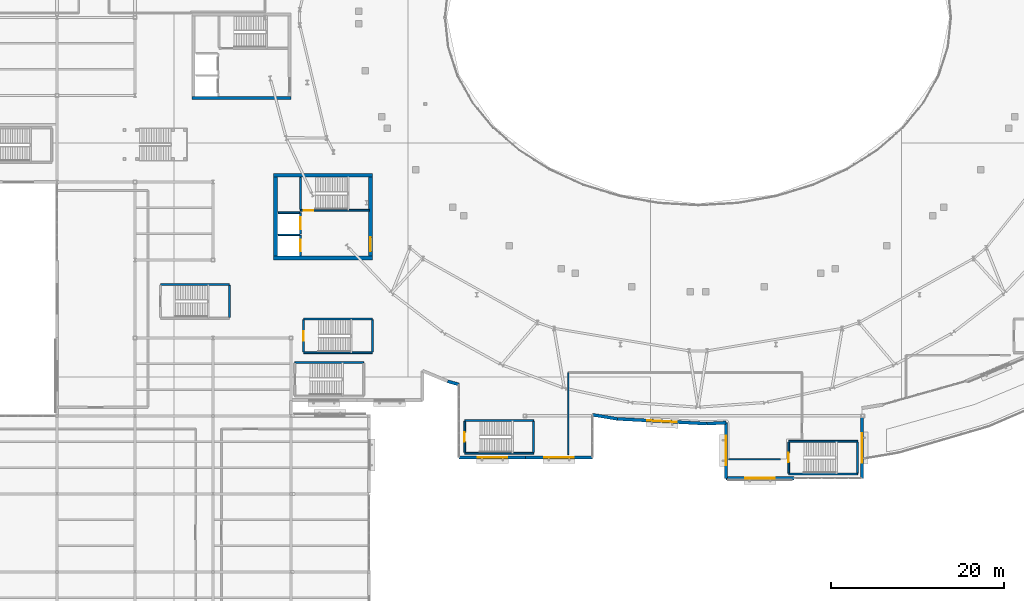
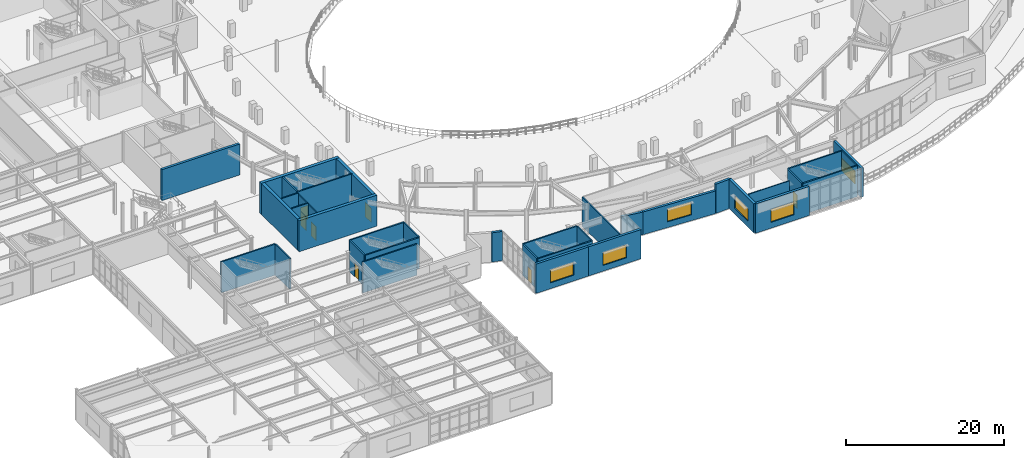
# One storey, part 58 of 84: 37 walls, 7 doors, 6 windows, 13 openings.
"""IFC4 building model written with IfcOpenShell, lengths in metres."""

from ifc_helpers import new_model, si_unit, direction, frame, frame_2d, origin, place, context, subcontext, project, spatial, rectangle, extrude, material, layer, layer_set, type_object, element, fill, save


model = new_model("IFC4")

# Units and contexts
model_context = context("Model", 3, precision=1e-05, world=origin(), true_north=direction((0.0, 1.0)))
body_context = subcontext(model_context, "Body", "Model", "MODEL_VIEW")
ifc_project = project(units=[si_unit("LENGTHUNIT", "METRE"), si_unit("AREAUNIT", "SQUARE_METRE"), si_unit("VOLUMEUNIT", "CUBIC_METRE"), si_unit("PLANEANGLEUNIT", "RADIAN"), si_unit("MASSUNIT", "GRAM", prefix="KILO")], contexts=[model_context])

# Site, building, storey
site_placement = place(None, origin())
site = spatial("IfcSite", under=ifc_project, at=site_placement, CompositionType="ELEMENT")
building_placement = place(site_placement, origin())
building = spatial("IfcBuilding", under=site, at=building_placement, Name="Glasvene Arena", CompositionType="ELEMENT")
storey_placement = place(building_placement, frame((0.0, 0.0, 10.199951171875)))
storey = spatial("IfcBuildingStorey", under=building, at=storey_placement, Name="L02", CompositionType="ELEMENT", Elevation=10.199951171875)

# Walls
ifc_material_1 = material(Name="Concrete C40/50", Category="concrete")
ifc_layer_1 = layer(ifc_material_1, 0.35009765625)
ifc_layer_set_1 = layer_set([ifc_layer_1], Name="Concrete C40/50")
wall_type_1 = type_object("IfcWallType", Name="WL-CORE-350", PredefinedType="SHEAR", material=ifc_layer_set_1)
wall_1_placement = place(storey_placement, frame((33.60009765625, 63.675048828125, 0.0), z_axis=(0.0, 0.0, 1.0), x_axis=(1.0, 0.0, 0.0)))
element("IfcWall", 1, at=wall_1_placement, inside=storey, type_object=wall_type_1, Name="Core C5 West Media shear wall S L02", PredefinedType="SHEAR", context=body_context, shape_type="SweptSolid", body=[
    extrude(rectangle(XDim=11.39990234375, YDim=0.35009765625, at=frame_2d((5.699951171875, 0.0))), origin(), (0.0, 0.0, 1.0), 4.800048828125),
])
ifc_layer_2 = layer(ifc_material_1, 0.449951171875)
ifc_layer_set_2 = layer_set([ifc_layer_2], Name="Concrete C40/50")
wall_type_2 = type_object("IfcWallType", Name="WL-CORE-450", PredefinedType="SHEAR", material=ifc_layer_set_2)
for number, where, z_axis, x_axis, name in (
    (2, (43.0, 45.22509765625, 0.0), (0.0, 0.0, 1.0), (1.0, 0.0, 0.0), "Core C3 South-West shear wall S L02"),
    (3, (43.0, 54.77490234375, 0.0), (0.0, 0.0, 1.0), (1.0, 0.0, 0.0), "Core C3 South-West shear wall N L02"),
):
    element("IfcWall", number, at=place(storey_placement, frame(where, z_axis=z_axis, x_axis=x_axis)), inside=storey, type_object=wall_type_2, Name=name, PredefinedType="SHEAR", context=body_context, shape_type="SweptSolid", body=[
        extrude(rectangle(XDim=11.39990234375, YDim=0.449951171875, at=frame_2d((5.699951171875, 0.0))), origin(), (0.0, 0.0, 1.0), 4.800048828125),
    ])
wall_2_placement = place(storey_placement, frame((43.22509765625, 45.449951171875, 0.0), z_axis=(0.0, 0.0, 1.0), x_axis=(0.0, 1.0, 0.0)))
element("IfcWall", 4, at=wall_2_placement, inside=storey, type_object=wall_type_2, Name="Core C3 South-West shear wall W L02", PredefinedType="SHEAR", context=body_context, shape_type="SweptSolid", body=[
    extrude(rectangle(XDim=9.10009765625, YDim=0.449951171875, at=frame_2d((4.550048828125, 0.0))), origin(), (0.0, 0.0, 1.0), 4.800048828125),
])

# Wall, opening, door
wall_3_placement = place(storey_placement, frame((54.175048828125, 45.449951171875, 0.0), z_axis=(0.0, 0.0, 1.0), x_axis=(0.0, 1.0, 0.0)))
wall_3 = element("IfcWall", 5, at=wall_3_placement, inside=storey, type_object=wall_type_2, Name="Core C3 South-West shear wall E L02", PredefinedType="SHEAR", context=body_context, shape_type="SweptSolid", body=[
    extrude(rectangle(XDim=9.10009765625, YDim=0.449951171875, at=frame_2d((4.550048828125, 0.0))), origin(), (0.0, 0.0, 1.0), 4.800048828125),
])
opening_1_placement = place(wall_3_placement, frame((0.550048828125, 0.0, 0.0)))
opening_1 = element("IfcOpeningElement", 6, at=opening_1_placement, cuts=wall_3, Name="Opening D-02", PredefinedType="OPENING", context=body_context, shape_type="SweptSolid", body=[
    extrude(rectangle(XDim=1.60009765625, YDim=2.199951171875, at=frame_2d((0.800048828125, 1.10009765625))), frame((0.0, 0.23486328125, 0.0), z_axis=(0.0, -1.0, 0.0), x_axis=(1.0, 0.0, 0.0)), (0.0, 0.0, 1.0), 0.469970703125),
])
ifc_material_2 = material(Name="Painted fire-resisting steel", Category="steel")
door_type_1 = type_object("IfcDoorType", Name="DR-FD60-1600", OperationType="DOUBLE_DOOR_SINGLE_SWING", PredefinedType="DOOR", material=ifc_material_2)
door_1_placement = place(opening_1_placement, frame((1.60009765625, 0.0, 0.0), z_axis=(0.0, 0.0, 1.0), x_axis=(-1.0, 0.0, 0.0)))
door_1 = element("IfcDoor", 7, at=door_1_placement, inside=storey, type_object=door_type_1, Name="Core firefighting lobby concourse door C3-L02", OperationType="DOUBLE_DOOR_SINGLE_SWING", OverallHeight=2.199951171875, OverallWidth=1.60009765625, PredefinedType="DOOR", context=body_context, shape_type="SweptSolid", body=[
    extrude(rectangle(XDim=1.60009765625, YDim=2.199951171875, at=frame_2d((0.800048828125, 1.10009765625))), frame((0.0, 0.02490234375, 0.0), z_axis=(0.0, -1.0, 0.0), x_axis=(1.0, 0.0, 0.0)), (0.0, 0.0, 1.0), 0.050048828125),
])
fill(opening_1, door_1)

# Wall, opening, window
ifc_material_3 = material(Name="Coursed pale Irish limestone", Category="masonry")
ifc_layer_3 = layer(ifc_material_3, 0.360107421875)
ifc_layer_set_3 = layer_set([ifc_layer_3], Name="Coursed pale Irish limestone")
wall_type_3 = type_object("IfcWallType", Name="WL-EXT-LIM-360", PredefinedType="STANDARD", material=ifc_layer_set_3)
wall_4_placement = place(storey_placement, frame((110.89990234375, 26.794921875, 0.0), z_axis=(0.0, 0.0, 1.0), x_axis=(0.0, -1.0, 0.0)))
wall_4 = element("IfcWall", 8, at=wall_4_placement, inside=storey, type_object=wall_type_3, Name="External facade wall EW-L02-0155", PredefinedType="STANDARD", context=body_context, shape_type="SweptSolid", body=[
    extrude(rectangle(XDim=6.994873046875, YDim=0.360107421875, at=frame_2d((3.49755859375, 0.0))), origin(), (0.0, 0.0, 1.0), 4.52001953125),
])
opening_2_placement = place(wall_4_placement, frame((1.797119140625, 0.0, 0.89990234375)))
opening_2 = element("IfcOpeningElement", 9, at=opening_2_placement, cuts=wall_4, Name="Opening W-06", PredefinedType="OPENING", context=body_context, shape_type="SweptSolid", body=[
    extrude(rectangle(XDim=3.39990234375, YDim=2.0, at=frame_2d((1.699951171875, 1.0))), frame((0.0, 0.18994140625, 0.0), z_axis=(0.0, -1.0, 0.0), x_axis=(1.0, 0.0, 0.0)), (0.0, 0.0, 1.0), 0.380126953125),
])
ifc_material_4 = material(Name="Low-emissivity laminated double glazing", Category="glass")
window_type = type_object("IfcWindowType", Name="WN-CLUB-340x200", PartitioningType="TRIPLE_PANEL_VERTICAL", PredefinedType="WINDOW", material=ifc_material_4)
window_1_placement = place(opening_2_placement, origin())
window_1 = element("IfcWindow", 10, at=window_1_placement, inside=storey, type_object=window_type, Name="Facade window WN-CLUB-340x200 L02-0092", OverallHeight=2.0, OverallWidth=3.39990234375, PartitioningType="SINGLE_PANEL", PredefinedType="WINDOW", context=body_context, shape_type="SweptSolid", body=[
    extrude(rectangle(XDim=3.39990234375, YDim=2.0, at=frame_2d((1.699951171875, 1.0))), frame((0.0, 0.030029296875, 0.0), z_axis=(0.0, -1.0, 0.0), x_axis=(1.0, 0.0, 0.0)), (0.0, 0.0, 1.0), 0.06005859375),
])
fill(opening_2, window_1)

wall_5_placement = place(storey_placement, frame((103.050048828125, 19.800048828125, 0.0), z_axis=(0.0, 0.0, 1.0), x_axis=(-1.0, 0.0, 0.0)))
wall_5 = element("IfcWall", 11, at=wall_5_placement, inside=storey, type_object=wall_type_3, Name="External facade wall EW-L02-0156", PredefinedType="STANDARD", context=body_context, shape_type="SweptSolid", body=[
    extrude(rectangle(XDim=7.85009765625, YDim=0.360107421875, at=frame_2d((3.925048828125, 0.0))), origin(), (0.0, 0.0, 1.0), 4.52001953125),
])
opening_3_placement = place(wall_5_placement, frame((2.22509765625, 0.0, 0.89990234375)))
opening_3 = element("IfcOpeningElement", 12, at=opening_3_placement, cuts=wall_5, Name="Opening W-06", PredefinedType="OPENING", context=body_context, shape_type="SweptSolid", body=[
    extrude(rectangle(XDim=3.39990234375, YDim=2.0, at=frame_2d((1.699951171875, 1.0))), frame((0.0, 0.18994140625, 0.0), z_axis=(0.0, -1.0, 0.0), x_axis=(1.0, 0.0, 0.0)), (0.0, 0.0, 1.0), 0.380126953125),
])
window_2_placement = place(opening_3_placement, origin())
window_2 = element("IfcWindow", 13, at=window_2_placement, inside=storey, type_object=window_type, Name="Facade window WN-CLUB-340x200 L02-0093", OverallHeight=2.0, OverallWidth=3.39990234375, PartitioningType="SINGLE_PANEL", PredefinedType="WINDOW", context=body_context, shape_type="SweptSolid", body=[
    extrude(rectangle(XDim=3.39990234375, YDim=2.0, at=frame_2d((1.699951171875, 1.0))), frame((0.0, 0.030029296875, 0.0), z_axis=(0.0, -1.0, 0.0), x_axis=(1.0, 0.0, 0.0)), (0.0, 0.0, 1.0), 0.06005859375),
])
fill(opening_3, window_2)

wall_6_placement = place(storey_placement, frame((95.199951171875, 19.800048828125, 0.0), z_axis=(0.0, 0.0, 1.0), x_axis=(0.0, 1.0, 0.0)))
wall_6 = element("IfcWall", 14, at=wall_6_placement, inside=storey, type_object=wall_type_3, Name="External facade wall EW-L02-0157", PredefinedType="STANDARD", context=body_context, shape_type="SweptSolid", body=[
    extrude(rectangle(XDim=6.41796875, YDim=0.360107421875, at=frame_2d((3.208984375, 0.0))), origin(), (0.0, 0.0, 1.0), 4.52001953125),
])
opening_4_placement = place(wall_6_placement, frame((1.509033203125, 0.0, 0.89990234375)))
opening_4 = element("IfcOpeningElement", 15, at=opening_4_placement, cuts=wall_6, Name="Opening W-06", PredefinedType="OPENING", context=body_context, shape_type="SweptSolid", body=[
    extrude(rectangle(XDim=3.39990234375, YDim=2.0, at=frame_2d((1.699951171875, 1.0))), frame((0.0, 0.18994140625, 0.0), z_axis=(0.0, -1.0, 0.0), x_axis=(1.0, 0.0, 0.0)), (0.0, 0.0, 1.0), 0.380126953125),
])
window_3_placement = place(opening_4_placement, origin())
window_3 = element("IfcWindow", 16, at=window_3_placement, inside=storey, type_object=window_type, Name="Facade window WN-CLUB-340x200 L02-0094", OverallHeight=2.0, OverallWidth=3.39990234375, PartitioningType="SINGLE_PANEL", PredefinedType="WINDOW", context=body_context, shape_type="SweptSolid", body=[
    extrude(rectangle(XDim=3.39990234375, YDim=2.0, at=frame_2d((1.699951171875, 1.0))), frame((0.0, 0.030029296875, 0.0), z_axis=(0.0, -1.0, 0.0), x_axis=(1.0, 0.0, 0.0)), (0.0, 0.0, 1.0), 0.06005859375),
])
fill(opening_4, window_3)

# Wall
wall_7_placement = place(storey_placement, frame((95.199951171875, 26.218017578125, 0.0), z_axis=(0.0, 0.0, 1.0), x_axis=(-0.998566546223, -0.053524319368, 0.0)))
element("IfcWall", 17, at=wall_7_placement, inside=storey, type_object=wall_type_3, Name="External facade wall EW-L02-0158", PredefinedType="STANDARD", context=body_context, shape_type="SweptSolid", body=[
    extrude(rectangle(XDim=2.203125, YDim=0.360107421875, at=frame_2d((1.1015625, 0.0))), origin(), (0.0, 0.0, 1.0), 4.52001953125),
])

# Wall, opening, window
wall_8_placement = place(storey_placement, frame((93.0, 26.10009765625, 0.0), z_axis=(0.0, 0.0, 1.0), x_axis=(-0.998565740143, 0.053539355745, 0.0)))
wall_8 = element("IfcWall", 18, at=wall_8_placement, inside=storey, type_object=wall_type_3, Name="External facade wall EW-L02-0159", PredefinedType="STANDARD", context=body_context, shape_type="SweptSolid", body=[
    extrude(rectangle(XDim=10.323974609375, YDim=0.360107421875, at=frame_2d((5.162109375, 0.0))), origin(), (0.0, 0.0, 1.0), 3.51513671875),
])
opening_5_placement = place(wall_8_placement, frame((3.4619140625, 0.0, 0.89990234375)))
opening_5 = element("IfcOpeningElement", 19, at=opening_5_placement, cuts=wall_8, Name="Opening W-06", PredefinedType="OPENING", context=body_context, shape_type="SweptSolid", body=[
    extrude(rectangle(XDim=3.39990234375, YDim=2.0, at=frame_2d((1.699951171875, 1.0))), frame((0.0, 0.18994140625, 0.0), z_axis=(0.0, -1.0, 0.0), x_axis=(1.0, 0.0, 0.0)), (0.0, 0.0, 1.0), 0.380126953125),
])
window_4_placement = place(opening_5_placement, origin())
window_4 = element("IfcWindow", 20, at=window_4_placement, inside=storey, type_object=window_type, Name="Facade window WN-CLUB-340x200 L02-0095", OverallHeight=2.0, OverallWidth=3.39990234375, PartitioningType="SINGLE_PANEL", PredefinedType="WINDOW", context=body_context, shape_type="SweptSolid", body=[
    extrude(rectangle(XDim=3.39990234375, YDim=2.0, at=frame_2d((1.699951171875, 1.0))), frame((0.0, 0.030029296875, 0.0), z_axis=(0.0, -1.0, 0.0), x_axis=(1.0, 0.0, 0.0)), (0.0, 0.0, 1.0), 0.06005859375),
])
fill(opening_5, window_4)

# Wall
wall_9_placement = place(storey_placement, frame((82.69091796875, 26.65283203125, 0.0), z_axis=(0.0, 0.0, 1.0), x_axis=(-0.986882792643, 0.161438389439, 0.0)))
element("IfcWall", 21, at=wall_9_placement, inside=storey, type_object=wall_type_3, Name="External facade wall EW-L02-0160", PredefinedType="STANDARD", context=body_context, shape_type="SweptSolid", body=[
    extrude(rectangle(XDim=2.92919921875, YDim=0.360107421875, at=frame_2d((1.464599609375, 0.0))), origin(), (0.0, 0.0, 1.0), 3.51513671875),
])

# Wall, opening, window
wall_10_placement = place(storey_placement, frame((79.800048828125, 22.199951171875, 0.0), z_axis=(0.0, 0.0, 1.0), x_axis=(-1.0, 0.0, 0.0)))
wall_10 = element("IfcWall", 22, at=wall_10_placement, inside=storey, type_object=wall_type_3, Name="External facade wall EW-L02-0161", PredefinedType="STANDARD", context=body_context, shape_type="SweptSolid", body=[
    extrude(rectangle(XDim=7.699951171875, YDim=0.360107421875, at=frame_2d((3.85009765625, 0.0))), origin(), (0.0, 0.0, 1.0), 4.52001953125),
])
opening_6_placement = place(wall_10_placement, frame((2.14990234375, 0.0, 0.89990234375)))
opening_6 = element("IfcOpeningElement", 23, at=opening_6_placement, cuts=wall_10, Name="Opening W-06", PredefinedType="OPENING", context=body_context, shape_type="SweptSolid", body=[
    extrude(rectangle(XDim=3.39990234375, YDim=2.0, at=frame_2d((1.699951171875, 1.0))), frame((0.0, 0.18994140625, 0.0), z_axis=(0.0, -1.0, 0.0), x_axis=(1.0, 0.0, 0.0)), (0.0, 0.0, 1.0), 0.380126953125),
])
window_5_placement = place(opening_6_placement, origin())
window_5 = element("IfcWindow", 24, at=window_5_placement, inside=storey, type_object=window_type, Name="Facade window WN-CLUB-340x200 L02-0096", OverallHeight=2.0, OverallWidth=3.39990234375, PartitioningType="SINGLE_PANEL", PredefinedType="WINDOW", context=body_context, shape_type="SweptSolid", body=[
    extrude(rectangle(XDim=3.39990234375, YDim=2.0, at=frame_2d((1.699951171875, 1.0))), frame((0.0, 0.030029296875, 0.0), z_axis=(0.0, -1.0, 0.0), x_axis=(1.0, 0.0, 0.0)), (0.0, 0.0, 1.0), 0.06005859375),
])
fill(opening_6, window_5)

wall_11_placement = place(storey_placement, frame((72.10009765625, 22.199951171875, 0.0), z_axis=(0.0, 0.0, 1.0), x_axis=(-1.0, 0.0, 0.0)))
wall_11 = element("IfcWall", 25, at=wall_11_placement, inside=storey, type_object=wall_type_3, Name="External facade wall EW-L02-0162", PredefinedType="STANDARD", context=body_context, shape_type="SweptSolid", body=[
    extrude(rectangle(XDim=7.7001953125, YDim=0.360107421875, at=frame_2d((3.85009765625, 0.0))), origin(), (0.0, 0.0, 1.0), 4.52001953125),
])
opening_7_placement = place(wall_11_placement, frame((2.14990234375, 0.0, 0.89990234375)))
opening_7 = element("IfcOpeningElement", 26, at=opening_7_placement, cuts=wall_11, Name="Opening W-06", PredefinedType="OPENING", context=body_context, shape_type="SweptSolid", body=[
    extrude(rectangle(XDim=3.39990234375, YDim=2.0, at=frame_2d((1.699951171875, 1.0))), frame((0.0, 0.18994140625, 0.0), z_axis=(0.0, -1.0, 0.0), x_axis=(1.0, 0.0, 0.0)), (0.0, 0.0, 1.0), 0.380126953125),
])
window_6_placement = place(opening_7_placement, origin())
window_6 = element("IfcWindow", 27, at=window_6_placement, inside=storey, type_object=window_type, Name="Facade window WN-CLUB-340x200 L02-0097", OverallHeight=2.0, OverallWidth=3.39990234375, PartitioningType="SINGLE_PANEL", PredefinedType="WINDOW", context=body_context, shape_type="SweptSolid", body=[
    extrude(rectangle(XDim=3.39990234375, YDim=2.0, at=frame_2d((1.699951171875, 1.0))), frame((0.0, 0.030029296875, 0.0), z_axis=(0.0, -1.0, 0.0), x_axis=(1.0, 0.0, 0.0)), (0.0, 0.0, 1.0), 0.06005859375),
])
fill(opening_7, window_6)

# Walls
wall_12_placement = place(storey_placement, frame((64.39990234375, 30.621826171875, 0.0), z_axis=(0.0, 0.0, 1.0), x_axis=(-0.962380372063, 0.271705758989, 0.0)))
element("IfcWall", 28, at=wall_12_placement, inside=storey, type_object=wall_type_3, Name="External facade wall EW-L02-0163", PredefinedType="STANDARD", context=body_context, shape_type="SweptSolid", body=[
    extrude(rectangle(XDim=1.369384765625, YDim=0.360107421875, at=frame_2d((0.6845703125, 0.0))), origin(), (0.0, 0.0, 1.0), 4.52001953125),
])
ifc_material_5 = material(Name="Insulated acoustic metal-stud partition")
ifc_layer_4 = layer(ifc_material_5, 0.14990234375)
ifc_layer_set_4 = layer_set([ifc_layer_4], Name="Insulated acoustic metal-stud partition")
wall_type_4 = type_object("IfcWallType", Name="WL-PART-150", PredefinedType="PARTITIONING", material=ifc_layer_set_4)
wall_13_placement = place(storey_placement, frame((101.487548828125, 22.0, 0.0), z_axis=(0.0, 0.0, 1.0), x_axis=(-1.0, 0.0, 0.0)))
element("IfcWall", 29, at=wall_13_placement, inside=storey, type_object=wall_type_4, Name="Interior partition wall IW-L02-0206 (Prairie Club Lounge South)", PredefinedType="PARTITIONING", context=body_context, shape_type="SweptSolid", body=[
    extrude(rectangle(XDim=5.967529296875, YDim=0.14990234375, at=frame_2d((2.98388671875, 0.0))), origin(), (0.0, 0.0, 1.0), 4.52001953125),
])
wall_14_placement = place(storey_placement, frame((77.0, 22.52001953125, 0.0), z_axis=(0.0, 0.0, 1.0), x_axis=(0.0, 1.0, 0.0)))
element("IfcWall", 30, at=wall_14_placement, inside=storey, type_object=wall_type_4, Name="Interior partition wall IW-L02-0207 (Prairie Club Lounge South)", PredefinedType="PARTITIONING", context=body_context, shape_type="SweptSolid", body=[
    extrude(rectangle(XDim=9.47998046875, YDim=0.14990234375, at=frame_2d((4.739990234375, 0.0))), origin(), (0.0, 0.0, 1.0), 4.52001953125),
])

# Wall, opening, door
ifc_layer_5 = layer(ifc_material_1, 0.199951171875)
ifc_layer_set_5 = layer_set([ifc_layer_5], Name="Concrete C40/50")
wall_type_5 = type_object("IfcWallType", Name="WL-SHAFT-200", PredefinedType="SHEAR", material=ifc_layer_set_5)
wall_15_placement = place(storey_placement, frame((46.10009765625, 45.449951171875, 0.0), z_axis=(0.0, 0.0, 1.0), x_axis=(0.0, 1.0, 0.0)))
wall_15 = element("IfcWall", 31, at=wall_15_placement, inside=storey, type_object=wall_type_5, Name="Lift shaft front wall FFL-03 L02", PredefinedType="SHEAR", context=body_context, shape_type="SweptSolid", body=[
    extrude(rectangle(XDim=2.449951171875, YDim=0.199951171875, at=frame_2d((1.22509765625, 0.0))), origin(), (0.0, 0.0, 1.0), 4.52001953125),
])
opening_8_placement = place(wall_15_placement, frame((0.574951171875, 0.0, 0.0)))
opening_8 = element("IfcOpeningElement", 32, at=opening_8_placement, cuts=wall_15, Name="Opening LD-FF", PredefinedType="OPENING", context=body_context, shape_type="SweptSolid", body=[
    extrude(rectangle(XDim=1.300048828125, YDim=2.199951171875, at=frame_2d((0.64990234375, 1.10009765625))), frame((0.0, 0.10986328125, 0.0), z_axis=(0.0, -1.0, 0.0), x_axis=(1.0, 0.0, 0.0)), (0.0, 0.0, 1.0), 0.219970703125),
])
ifc_material_6 = material(Name="Brushed stainless steel", Category="steel")
door_type_2 = type_object("IfcDoorType", Name="LD-FFL-1300", OperationType="DOUBLE_DOOR_SLIDING", PredefinedType="DOOR", material=ifc_material_6)
door_2_placement = place(opening_8_placement, origin())
door_2 = element("IfcDoor", 33, at=door_2_placement, inside=storey, type_object=door_type_2, Name="Lift sliding landing door LD-FFL-03-L02", OperationType="DOUBLE_DOOR_SLIDING", OverallHeight=2.199951171875, OverallWidth=1.300048828125, PredefinedType="DOOR", context=body_context, shape_type="SweptSolid", body=[
    extrude(rectangle(XDim=1.300048828125, YDim=2.199951171875, at=frame_2d((0.64990234375, 1.10009765625))), frame((0.0, 0.02490234375, 0.0), z_axis=(0.0, -1.0, 0.0), x_axis=(1.0, 0.0, 0.0)), (0.0, 0.0, 1.0), 0.050048828125),
])
fill(opening_8, door_2)

wall_16_placement = place(storey_placement, frame((46.10009765625, 48.0, 0.0), z_axis=(0.0, 0.0, 1.0), x_axis=(0.0, 1.0, 0.0)))
wall_16 = element("IfcWall", 34, at=wall_16_placement, inside=storey, type_object=wall_type_5, Name="Lift shaft front wall PL-03 L02", PredefinedType="SHEAR", context=body_context, shape_type="SweptSolid", body=[
    extrude(rectangle(XDim=2.449951171875, YDim=0.199951171875, at=frame_2d((1.22509765625, 0.0))), origin(), (0.0, 0.0, 1.0), 4.52001953125),
])
opening_9_placement = place(wall_16_placement, frame((0.52490234375, 0.0, 0.0)))
opening_9 = element("IfcOpeningElement", 35, at=opening_9_placement, cuts=wall_16, Name="Opening LD-PL", PredefinedType="OPENING", context=body_context, shape_type="SweptSolid", body=[
    extrude(rectangle(XDim=1.39990234375, YDim=2.199951171875, at=frame_2d((0.699951171875, 1.10009765625))), frame((0.0, 0.10986328125, 0.0), z_axis=(0.0, -1.0, 0.0), x_axis=(1.0, 0.0, 0.0)), (0.0, 0.0, 1.0), 0.219970703125),
])
door_type_3 = type_object("IfcDoorType", Name="LD-PL-1400", OperationType="DOUBLE_DOOR_SLIDING", PredefinedType="DOOR", material=ifc_material_6)
door_3_placement = place(opening_9_placement, origin())
door_3 = element("IfcDoor", 36, at=door_3_placement, inside=storey, type_object=door_type_3, Name="Lift sliding landing door LD-PL-03-L02", OperationType="DOUBLE_DOOR_SLIDING", OverallHeight=2.199951171875, OverallWidth=1.39990234375, PredefinedType="DOOR", context=body_context, shape_type="SweptSolid", body=[
    extrude(rectangle(XDim=1.39990234375, YDim=2.199951171875, at=frame_2d((0.699951171875, 1.10009765625))), frame((0.0, 0.02490234375, 0.0), z_axis=(0.0, -1.0, 0.0), x_axis=(1.0, 0.0, 0.0)), (0.0, 0.0, 1.0), 0.050048828125),
])
fill(opening_9, door_3)

wall_17_placement = place(storey_placement, frame((46.10009765625, 50.72998046875, 0.0), z_axis=(0.0, 0.0, 1.0), x_axis=(1.0, 0.0, 0.0)))
wall_17 = element("IfcWall", 37, at=wall_17_placement, inside=storey, type_object=wall_type_5, Name="Escape stair shaft wall ST-03 L02 S", PredefinedType="SHEAR", context=body_context, shape_type="SweptSolid", body=[
    extrude(rectangle(XDim=7.949951171875, YDim=0.199951171875, at=frame_2d((3.97509765625, 0.0))), origin(), (0.0, 0.0, 1.0), 4.800048828125),
])
opening_10_placement = place(wall_17_placement, frame((0.39990234375, 0.0, 0.0)))
opening_10 = element("IfcOpeningElement", 38, at=opening_10_placement, cuts=wall_17, Name="Opening D-04", PredefinedType="OPENING", context=body_context, shape_type="SweptSolid", body=[
    extrude(rectangle(XDim=1.10009765625, YDim=2.14990234375, at=frame_2d((0.550048828125, 1.074951171875))), frame((0.0, 0.10986328125, 0.0), z_axis=(0.0, -1.0, 0.0), x_axis=(1.0, 0.0, 0.0)), (0.0, 0.0, 1.0), 0.219970703125),
])
door_type_4 = type_object("IfcDoorType", Name="DR-FD60-1100", OperationType="NOTDEFINED", PredefinedType="DOOR", material=ifc_material_2)
door_4_placement = place(opening_10_placement, frame((1.10009765625, 0.0, 0.0), z_axis=(0.0, 0.0, 1.0), x_axis=(-1.0, 0.0, 0.0)))
door_4 = element("IfcDoor", 39, at=door_4_placement, inside=storey, type_object=door_type_4, Name="Protected escape stair door ST-03 L02", OperationType="SINGLE_SWING_LEFT", OverallHeight=2.14990234375, OverallWidth=1.10009765625, PredefinedType="DOOR", context=body_context, shape_type="SweptSolid", body=[
    extrude(rectangle(XDim=1.10009765625, YDim=2.14990234375, at=frame_2d((0.550048828125, 1.074951171875))), frame((0.0, 0.02490234375, 0.0), z_axis=(0.0, -1.0, 0.0), x_axis=(1.0, 0.0, 0.0)), (0.0, 0.0, 1.0), 0.050048828125),
])
fill(opening_10, door_4)

# Walls
wall_18_placement = place(storey_placement, frame((46.10009765625, 50.83203125, 0.0), z_axis=(0.0, 0.0, 1.0), x_axis=(0.0, 1.0, 0.0)))
element("IfcWall", 40, at=wall_18_placement, inside=storey, type_object=wall_type_5, Name="Escape stair shaft wall ST-03 L02 W", PredefinedType="SHEAR", context=body_context, shape_type="SweptSolid", body=[
    extrude(rectangle(XDim=3.68603515625, YDim=0.199951171875, at=frame_2d((1.843017578125, 0.0))), origin(), (0.0, 0.0, 1.0), 4.800048828125),
])
wall_19_placement = place(storey_placement, frame((46.449951171875, 34.280029296875, 0.0), z_axis=(0.0, 0.0, 1.0), x_axis=(1.0, 0.0, 0.0)))
element("IfcWall", 41, at=wall_19_placement, inside=storey, type_object=wall_type_5, Name="Escape stair shaft wall ST-05 L02 S", PredefinedType="SHEAR", context=body_context, shape_type="SweptSolid", body=[
    extrude(rectangle(XDim=7.949951171875, YDim=0.199951171875, at=frame_2d((3.97509765625, 0.0))), origin(), (0.0, 0.0, 1.0), 4.800048828125),
])

# Wall, opening, door
wall_20_placement = place(storey_placement, frame((46.449951171875, 34.382080078125, 0.0), z_axis=(0.0, 0.0, 1.0), x_axis=(0.0, 1.0, 0.0)))
wall_20 = element("IfcWall", 42, at=wall_20_placement, inside=storey, type_object=wall_type_5, Name="Escape stair shaft wall ST-05 L02 W", PredefinedType="SHEAR", context=body_context, shape_type="SweptSolid", body=[
    extrude(rectangle(XDim=3.68603515625, YDim=0.199951171875, at=frame_2d((1.843017578125, 0.0))), origin(), (0.0, 0.0, 1.0), 4.800048828125),
])
opening_11_placement = place(wall_20_placement, frame((1.29296875, 0.0, 0.0)))
opening_11 = element("IfcOpeningElement", 43, at=opening_11_placement, cuts=wall_20, Name="Opening D-04", PredefinedType="OPENING", context=body_context, shape_type="SweptSolid", body=[
    extrude(rectangle(XDim=1.10009765625, YDim=2.14990234375, at=frame_2d((0.550048828125, 1.074951171875))), frame((0.0, 0.10986328125, 0.0), z_axis=(0.0, -1.0, 0.0), x_axis=(1.0, 0.0, 0.0)), (0.0, 0.0, 1.0), 0.219970703125),
])
door_5_placement = place(opening_11_placement, frame((1.10009765625, 0.0, 0.0), z_axis=(0.0, 0.0, 1.0), x_axis=(-1.0, 0.0, 0.0)))
door_5 = element("IfcDoor", 44, at=door_5_placement, inside=storey, type_object=door_type_4, Name="Protected escape stair door ST-05 L02", OperationType="SINGLE_SWING_LEFT", OverallHeight=2.14990234375, OverallWidth=1.10009765625, PredefinedType="DOOR", context=body_context, shape_type="SweptSolid", body=[
    extrude(rectangle(XDim=1.10009765625, YDim=2.14990234375, at=frame_2d((0.550048828125, 1.074951171875))), frame((0.0, 0.02490234375, 0.0), z_axis=(0.0, -1.0, 0.0), x_axis=(1.0, 0.0, 0.0)), (0.0, 0.0, 1.0), 0.050048828125),
])
fill(opening_11, door_5)

# Walls
wall_21_placement = place(storey_placement, frame((54.39990234375, 34.382080078125, 0.0), z_axis=(0.0, 0.0, 1.0), x_axis=(0.0, 1.0, 0.0)))
element("IfcWall", 45, at=wall_21_placement, inside=storey, type_object=wall_type_5, Name="Escape stair shaft wall ST-05 L02 E", PredefinedType="SHEAR", context=body_context, shape_type="SweptSolid", body=[
    extrude(rectangle(XDim=3.68603515625, YDim=0.199951171875, at=frame_2d((1.843017578125, 0.0))), origin(), (0.0, 0.0, 1.0), 4.800048828125),
])
for number, where, z_axis, x_axis, name in (
    (46, (46.449951171875, 38.169921875, 0.0), (0.0, 0.0, 1.0), (1.0, 0.0, 0.0), "Escape stair shaft wall ST-05 L02 N"),
    (47, (65.050048828125, 22.679931640625, 0.0), (0.0, 0.0, 1.0), (1.0, 0.0, 0.0), "Escape stair shaft wall ST-08 L02 S"),
):
    element("IfcWall", number, at=place(storey_placement, frame(where, z_axis=z_axis, x_axis=x_axis)), inside=storey, type_object=wall_type_5, Name=name, PredefinedType="SHEAR", context=body_context, shape_type="SweptSolid", body=[
        extrude(rectangle(XDim=7.949951171875, YDim=0.199951171875, at=frame_2d((3.97509765625, 0.0))), origin(), (0.0, 0.0, 1.0), 4.800048828125),
    ])

# Wall, opening, door
wall_22_placement = place(storey_placement, frame((65.050048828125, 22.781982421875, 0.0), z_axis=(0.0, 0.0, 1.0), x_axis=(0.0, 1.0, 0.0)))
wall_22 = element("IfcWall", 48, at=wall_22_placement, inside=storey, type_object=wall_type_5, Name="Escape stair shaft wall ST-08 L02 W", PredefinedType="SHEAR", context=body_context, shape_type="SweptSolid", body=[
    extrude(rectangle(XDim=3.5859375, YDim=0.199951171875, at=frame_2d((1.79296875, 0.0))), origin(), (0.0, 0.0, 1.0), 4.800048828125),
])
opening_12_placement = place(wall_22_placement, frame((1.242919921875, 0.0, 0.0)))
opening_12 = element("IfcOpeningElement", 49, at=opening_12_placement, cuts=wall_22, Name="Opening D-04", PredefinedType="OPENING", context=body_context, shape_type="SweptSolid", body=[
    extrude(rectangle(XDim=1.10009765625, YDim=2.14990234375, at=frame_2d((0.550048828125, 1.074951171875))), frame((0.0, 0.10986328125, 0.0), z_axis=(0.0, -1.0, 0.0), x_axis=(1.0, 0.0, 0.0)), (0.0, 0.0, 1.0), 0.219970703125),
])
door_6_placement = place(opening_12_placement, frame((1.10009765625, 0.0, 0.0), z_axis=(0.0, 0.0, 1.0), x_axis=(-1.0, 0.0, 0.0)))
door_6 = element("IfcDoor", 50, at=door_6_placement, inside=storey, type_object=door_type_4, Name="Protected escape stair door ST-08 L02", OperationType="SINGLE_SWING_LEFT", OverallHeight=2.14990234375, OverallWidth=1.10009765625, PredefinedType="DOOR", context=body_context, shape_type="SweptSolid", body=[
    extrude(rectangle(XDim=1.10009765625, YDim=2.14990234375, at=frame_2d((0.550048828125, 1.074951171875))), frame((0.0, 0.02490234375, 0.0), z_axis=(0.0, -1.0, 0.0), x_axis=(1.0, 0.0, 0.0)), (0.0, 0.0, 1.0), 0.050048828125),
])
fill(opening_12, door_6)

# Walls
wall_23_placement = place(storey_placement, frame((73.0, 22.781982421875, 0.0), z_axis=(0.0, 0.0, 1.0), x_axis=(0.0, 1.0, 0.0)))
element("IfcWall", 51, at=wall_23_placement, inside=storey, type_object=wall_type_5, Name="Escape stair shaft wall ST-08 L02 E", PredefinedType="SHEAR", context=body_context, shape_type="SweptSolid", body=[
    extrude(rectangle(XDim=3.5859375, YDim=0.199951171875, at=frame_2d((1.79296875, 0.0))), origin(), (0.0, 0.0, 1.0), 4.800048828125),
])
for number, where, z_axis, x_axis, name in (
    (52, (65.050048828125, 26.469970703125, 0.0), (0.0, 0.0, 1.0), (1.0, 0.0, 0.0), "Escape stair shaft wall ST-08 L02 N"),
    (53, (102.449951171875, 20.280029296875, 0.0), (0.0, 0.0, 1.0), (1.0, 0.0, 0.0), "Escape stair shaft wall ST-09 L02 S"),
):
    element("IfcWall", number, at=place(storey_placement, frame(where, z_axis=z_axis, x_axis=x_axis)), inside=storey, type_object=wall_type_5, Name=name, PredefinedType="SHEAR", context=body_context, shape_type="SweptSolid", body=[
        extrude(rectangle(XDim=7.949951171875, YDim=0.199951171875, at=frame_2d((3.97509765625, 0.0))), origin(), (0.0, 0.0, 1.0), 4.800048828125),
    ])

# Wall, opening, door
wall_24_placement = place(storey_placement, frame((102.449951171875, 20.382080078125, 0.0), z_axis=(0.0, 0.0, 1.0), x_axis=(0.0, 1.0, 0.0)))
wall_24 = element("IfcWall", 54, at=wall_24_placement, inside=storey, type_object=wall_type_5, Name="Escape stair shaft wall ST-09 L02 W", PredefinedType="SHEAR", context=body_context, shape_type="SweptSolid", body=[
    extrude(rectangle(XDim=3.5859375, YDim=0.199951171875, at=frame_2d((1.79296875, 0.0))), origin(), (0.0, 0.0, 1.0), 4.800048828125),
])
opening_13_placement = place(wall_24_placement, frame((1.242919921875, 0.0, 0.0)))
opening_13 = element("IfcOpeningElement", 55, at=opening_13_placement, cuts=wall_24, Name="Opening D-04", PredefinedType="OPENING", context=body_context, shape_type="SweptSolid", body=[
    extrude(rectangle(XDim=1.10009765625, YDim=2.14990234375, at=frame_2d((0.550048828125, 1.074951171875))), frame((0.0, 0.10986328125, 0.0), z_axis=(0.0, -1.0, 0.0), x_axis=(1.0, 0.0, 0.0)), (0.0, 0.0, 1.0), 0.219970703125),
])
door_7_placement = place(opening_13_placement, frame((1.10009765625, 0.0, 0.0), z_axis=(0.0, 0.0, 1.0), x_axis=(-1.0, 0.0, 0.0)))
door_7 = element("IfcDoor", 56, at=door_7_placement, inside=storey, type_object=door_type_4, Name="Protected escape stair door ST-09 L02", OperationType="SINGLE_SWING_LEFT", OverallHeight=2.14990234375, OverallWidth=1.10009765625, PredefinedType="DOOR", context=body_context, shape_type="SweptSolid", body=[
    extrude(rectangle(XDim=1.10009765625, YDim=2.14990234375, at=frame_2d((0.550048828125, 1.074951171875))), frame((0.0, 0.02490234375, 0.0), z_axis=(0.0, -1.0, 0.0), x_axis=(1.0, 0.0, 0.0)), (0.0, 0.0, 1.0), 0.050048828125),
])
fill(opening_13, door_7)

# Walls
wall_25_placement = place(storey_placement, frame((110.39990234375, 20.382080078125, 0.0), z_axis=(0.0, 0.0, 1.0), x_axis=(0.0, 1.0, 0.0)))
element("IfcWall", 57, at=wall_25_placement, inside=storey, type_object=wall_type_5, Name="Escape stair shaft wall ST-09 L02 E", PredefinedType="SHEAR", context=body_context, shape_type="SweptSolid", body=[
    extrude(rectangle(XDim=3.5859375, YDim=0.199951171875, at=frame_2d((1.79296875, 0.0))), origin(), (0.0, 0.0, 1.0), 4.800048828125),
])
wall_26_placement = place(storey_placement, frame((102.449951171875, 24.070068359375, 0.0), z_axis=(0.0, 0.0, 1.0), x_axis=(1.0, 0.0, 0.0)))
element("IfcWall", 58, at=wall_26_placement, inside=storey, type_object=wall_type_5, Name="Escape stair shaft wall ST-09 L02 N", PredefinedType="SHEAR", context=body_context, shape_type="SweptSolid", body=[
    extrude(rectangle(XDim=7.949951171875, YDim=0.199951171875, at=frame_2d((3.97509765625, 0.0))), origin(), (0.0, 0.0, 1.0), 4.800048828125),
])
wall_27_placement = place(storey_placement, frame((37.89990234375, 38.382080078125, 0.0), z_axis=(0.0, 0.0, 1.0), x_axis=(0.0, 1.0, 0.0)))
element("IfcWall", 59, at=wall_27_placement, inside=storey, type_object=wall_type_5, Name="Escape stair shaft wall ST-15 L02 E", PredefinedType="SHEAR", context=body_context, shape_type="SweptSolid", body=[
    extrude(rectangle(XDim=3.68603515625, YDim=0.199951171875, at=frame_2d((1.843017578125, 0.0))), origin(), (0.0, 0.0, 1.0), 4.800048828125),
])
for number, where, z_axis, x_axis, name in (
    (60, (29.949951171875, 42.169921875, 0.0), (0.0, 0.0, 1.0), (1.0, 0.0, 0.0), "Escape stair shaft wall ST-15 L02 N"),
    (61, (45.449951171875, 33.169921875, 0.0), (0.0, 0.0, 1.0), (1.0, 0.0, 0.0), "Escape stair shaft wall ST-16 L02 N"),
):
    element("IfcWall", number, at=place(storey_placement, frame(where, z_axis=z_axis, x_axis=x_axis)), inside=storey, type_object=wall_type_5, Name=name, PredefinedType="SHEAR", context=body_context, shape_type="SweptSolid", body=[
        extrude(rectangle(XDim=7.949951171875, YDim=0.199951171875, at=frame_2d((3.97509765625, 0.0))), origin(), (0.0, 0.0, 1.0), 4.800048828125),
    ])
ifc_material_7 = material(Name="Moisture-resistant masonry blockwork", Category="masonry")
ifc_layer_6 = layer(ifc_material_7, 0.179931640625)
ifc_layer_set_6 = layer_set([ifc_layer_6], Name="Moisture-resistant masonry blockwork")
wall_type_6 = type_object("IfcWallType", Name="WL-WET-180", PredefinedType="PARTITIONING", material=ifc_layer_set_6)
for number, where, z_axis, x_axis, name in (
    (62, (43.550048828125, 47.89990234375, 0.0), (0.0, 0.0, 1.0), (1.0, 0.0, 0.0), "Lift shaft divider wall C3 L02"),
    (63, (43.550048828125, 50.449951171875, 0.0), (0.0, 0.0, 1.0), (1.0, 0.0, 0.0), "Lift shaft north enclosure wall C3 L02"),
):
    element("IfcWall", number, at=place(storey_placement, frame(where, z_axis=z_axis, x_axis=x_axis)), inside=storey, type_object=wall_type_6, Name=name, PredefinedType="PARTITIONING", context=body_context, shape_type="SweptSolid", body=[
        extrude(rectangle(XDim=2.449951171875, YDim=0.179931640625, at=frame_2d((1.22509765625, 0.0))), origin(), (0.0, 0.0, 1.0), 4.800048828125),
    ])

save(model, "model.ifc")
